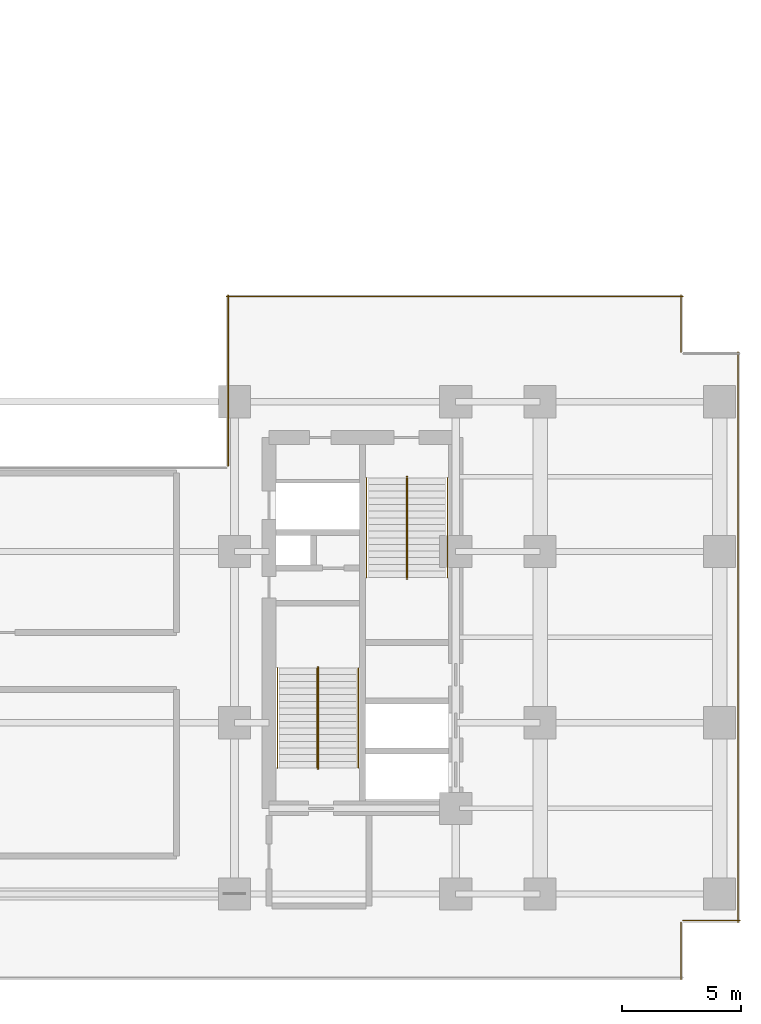
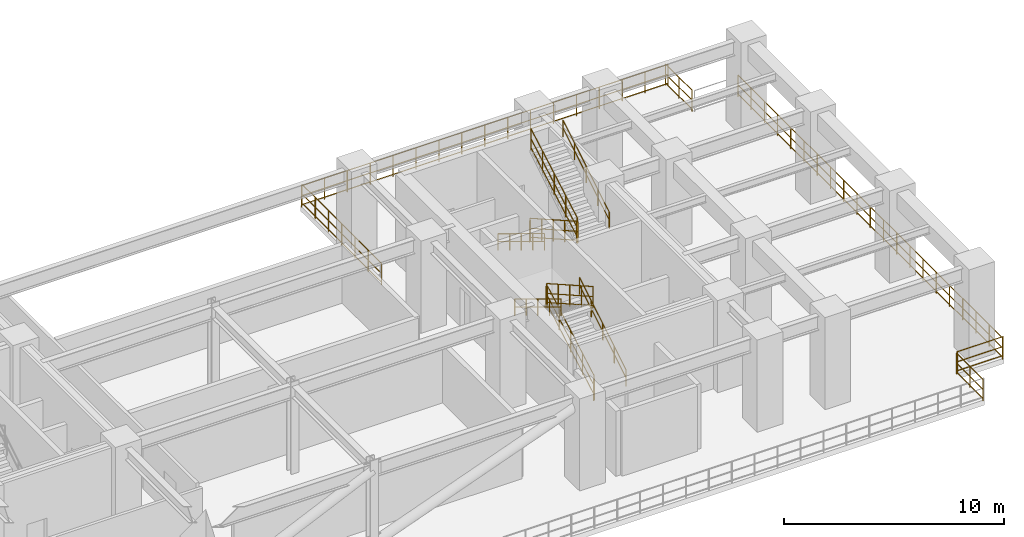
# One storey, part 13 of 15: 18 railings.
"""IFC4 building model written with IfcOpenShell, lengths in metres."""

import ifcopenshell
import ifcopenshell.guid

model = None  # the IFC model being written
_history = None  # IfcOwnerHistory: only IFC2X3 demands one
_inside = {}  # id of a spatial element -> (the spatial element, [elements in it])
_under = {}  # id of a project, library or spatial element -> (it, [spatial elements below it])
_declared = {}  # id of a project -> (the project, [libraries it declares])
_typed = {}  # id of a type object -> (the type object, [elements of that type])
_made_of = {}  # id of a material, layer set ... -> (it, [elements and type objects made of it])


def new_model(schema):
    """Start an empty IFC model of exactly this schema.

    Asked for "IFC4X3", IfcOpenShell would pick the latest addendum, in which some entities
    have other attributes; the version numbers below select the first issue.
    IFC2X3 requires an IfcOwnerHistory on every rooted entity: one is made here for all.
    """
    global model, _history
    if schema == "IFC4X3":
        model = ifcopenshell.file(schema_version=(4, 3, 0, 0))
    else:
        model = ifcopenshell.file(schema=schema)
    _inside.clear()
    _under.clear()
    _declared.clear()
    _typed.clear()
    _made_of.clear()
    _history = None
    if model.schema == "IFC2X3":
        org = make("IfcOrganization", Name="unknown")
        user = make(
            "IfcPersonAndOrganization",
            ThePerson=make("IfcPerson", FamilyName="unknown"),
            TheOrganization=org,
        )
        app = make(
            "IfcApplication",
            ApplicationDeveloper=org,
            Version="unknown",
            ApplicationFullName="unknown",
            ApplicationIdentifier="unknown",
        )
        _history = make(
            "IfcOwnerHistory",
            OwningUser=user,
            OwningApplication=app,
            ChangeAction="ADDED",
            CreationDate=0,
        )
    return model


def make(cls, **values):
    """One entity of the class cls with the attributes given. An attribute that is None is left unset."""
    return model.create_entity(
        cls, **{name: value for name, value in values.items() if value is not None}
    )


def entity(cls, *values):
    """Any entity or typed value of the class cls, its attributes in the order of the schema. None: left unset."""
    e = model.create_entity(cls)
    for i, value in enumerate(values):
        if value is not None:
            e[i] = value
    return e


def rooted(cls, **values):
    """An entity with a GlobalId (a new one), such as an element, a storey or a relation."""
    return make(cls, GlobalId=ifcopenshell.guid.new(), OwnerHistory=_history, **values)


def si_unit(unit_type, name, prefix=None):
    """IfcSIUnit, for example si_unit("LENGTHUNIT", "METRE", prefix="MILLI")."""
    return make("IfcSIUnit", UnitType=unit_type, Prefix=prefix, Name=name)


def converted_unit(unit_type, name, factor, base, dimensions=None, offset=None):
    """IfcConversionBasedUnit, such as the inch: factor (a typed value) times the base unit."""
    return make(
        "IfcConversionBasedUnit"
        if offset is None
        else "IfcConversionBasedUnitWithOffset",
        ConversionOffset=offset,
        Dimensions=None
        if dimensions is None
        else entity("IfcDimensionalExponents", *dimensions),
        UnitType=unit_type,
        Name=name,
        ConversionFactor=make(
            "IfcMeasureWithUnit", ValueComponent=factor, UnitComponent=base
        ),
    )


def assignment(units):
    """IfcUnitAssignment: the units of a project."""
    return None if units is None else make("IfcUnitAssignment", Units=units)


def point(xyz):
    """IfcCartesianPoint."""
    return None if xyz is None else make("IfcCartesianPoint", Coordinates=xyz)


def direction(xyz):
    """IfcDirection."""
    return None if xyz is None else make("IfcDirection", DirectionRatios=xyz)


def frame(location, z_axis=None, x_axis=None):
    """IfcAxis2Placement3D, a coordinate frame: its origin and axes. An axis left out is left unset."""
    return make(
        "IfcAxis2Placement3D",
        Location=point(location),
        Axis=direction(z_axis),
        RefDirection=direction(x_axis),
    )


def frame_2d(location, x_axis=None):
    """IfcAxis2Placement2D, a coordinate frame in the plane: its origin and x axis."""
    return make(
        "IfcAxis2Placement2D", Location=point(location), RefDirection=direction(x_axis)
    )


def origin_with_axes():
    """The frame at (0, 0, 0) with the z axis (0, 0, 1) and the x axis (1, 0, 0) written out."""
    return frame((0.0, 0.0, 0.0), z_axis=(0.0, 0.0, 1.0), x_axis=(1.0, 0.0, 0.0))


def origin_2d_with_axis():
    """The frame at (0, 0) in the plane with the x axis (1, 0) written out."""
    return frame_2d((0.0, 0.0), x_axis=(1.0, 0.0))


def place(relative_to, where):
    """IfcLocalPlacement: puts the frame where relative to a parent placement (None: the world)."""
    return make(
        "IfcLocalPlacement", PlacementRelTo=relative_to, RelativePlacement=where
    )


def context(
    kind, dimensions, precision=None, world=None, true_north=None, identifier=None
):
    """IfcGeometricRepresentationContext, for example the 3D "Model" context."""
    return make(
        "IfcGeometricRepresentationContext",
        ContextIdentifier=identifier,
        ContextType=kind,
        CoordinateSpaceDimension=dimensions,
        Precision=precision,
        WorldCoordinateSystem=world,
        TrueNorth=true_north,
    )


def subcontext(parent, identifier, kind, view, scale=None):
    """IfcGeometricRepresentationSubContext, for example "Body" below "Model"."""
    return make(
        "IfcGeometricRepresentationSubContext",
        ContextIdentifier=identifier,
        ContextType=kind,
        ParentContext=parent,
        TargetScale=scale,
        TargetView=view,
    )


def project(units=None, contexts=None):
    """IfcProject with its units and contexts."""
    return rooted(
        "IfcProject",
        Name="project",
        RepresentationContexts=contexts,
        UnitsInContext=assignment(units),
    )


def spatial(cls, under=None, at=None, **own):
    """A site, building, storey or space (cls), placed at a placement, below another one or the project."""
    s = rooted(cls, ObjectPlacement=at, **own)
    if under is not None:
        _under.setdefault(under.id(), (under, []))[1].append(s)
    return s


def profile(cls, at=None, kind="AREA", **sizes):
    """A parametric profile (cls). Its sizes go by their IFC names, for example OverallWidth=200.0."""
    return make(cls, ProfileType=kind, Position=at, **sizes)


def rectangle(**sizes):
    """IfcRectangleProfileDef."""
    return profile("IfcRectangleProfileDef", **sizes)


def circle(**sizes):
    """IfcCircleProfileDef."""
    return profile("IfcCircleProfileDef", **sizes)


def extrude(swept, where, along, depth):
    """IfcExtrudedAreaSolid: the profile swept, set in the frame where, extruded along a direction by depth."""
    return make(
        "IfcExtrudedAreaSolid",
        SweptArea=swept,
        Position=where,
        ExtrudedDirection=direction(along),
        Depth=depth,
    )


def shape(context_of_items, identifier, shape_type, items):
    """IfcShapeRepresentation: the items that make up one representation, for example the "Body"."""
    return make(
        "IfcShapeRepresentation",
        ContextOfItems=context_of_items,
        RepresentationIdentifier=identifier,
        RepresentationType=shape_type,
        Items=items,
    )


def material(Name=None, Category=None):
    """IfcMaterial."""
    return make("IfcMaterial", Name=Name, Category=Category)


def made_of(thing, what):
    """Note that an element or type object is made of a material, layer set ...; save() writes the relation."""
    if what is not None:
        _made_of.setdefault(what.id(), (what, []))[1].append(thing)
    return thing


def type_object(cls, material=None, **own):
    """A type object (cls), such as IfcWallType, which elements share."""
    return made_of(rooted(cls, **own), material)


def element(
    cls,
    number,
    at=None,
    inside=None,
    cuts=None,
    type_object=None,
    material=None,
    context=None,
    identifier="Body",
    shape_type=None,
    held_by="IfcProductDefinitionShape",
    body=None,
    shapes=None,
    **own,
):
    """One element of the class cls, such as IfcWall. Its Tag is "e" and its number.

    at: its placement. inside: the storey or other place that contains it. cuts: it is an
    opening in that element (IfcRelVoidsElement). A single representation is given by context,
    identifier, shape_type and body (its items); several are given by shapes. held_by: the class
    of the entity that holds the representations. save() writes the other relations.
    """
    e = rooted(cls, Tag="e%d" % number, ObjectPlacement=at, **own)
    if body is not None:
        shapes = [shape(context, identifier, shape_type, body)]
    if shapes is not None:
        e.Representation = make(held_by, Representations=shapes)
    if inside is not None:
        _inside.setdefault(inside.id(), (inside, []))[1].append(e)
    if cuts is not None:
        rooted(
            "IfcRelVoidsElement", RelatingBuildingElement=cuts, RelatedOpeningElement=e
        )
    if type_object is not None:
        _typed.setdefault(type_object.id(), (type_object, []))[1].append(e)
    return made_of(e, material)


def aggregate(whole, parts):
    """IfcRelAggregates: a whole, such as a stair, and the parts it consists of."""
    return rooted("IfcRelAggregates", RelatingObject=whole, RelatedObjects=parts)


def save(model, path):
    """Write the relations noted so far, then the file.

    IfcRelAggregates (storeys below a building ...), IfcRelContainedInSpatialStructure (elements
    in a storey), IfcRelDefinesByType, IfcRelAssociatesMaterial and IfcRelDeclares: one each for
    every whole, place, type object, material and project.
    """
    for whole, parts in _under.values():
        aggregate(whole, parts)
    for where, things in _inside.values():
        rooted(
            "IfcRelContainedInSpatialStructure",
            RelatedElements=things,
            RelatingStructure=where,
        )
    for kind, things in _typed.values():
        rooted("IfcRelDefinesByType", RelatedObjects=things, RelatingType=kind)
    for what, things in _made_of.values():
        rooted("IfcRelAssociatesMaterial", RelatedObjects=things, RelatingMaterial=what)
    for by, libraries in _declared.values():
        rooted("IfcRelDeclares", RelatingContext=by, RelatedDefinitions=libraries)
    model.write(path)


model = new_model("IFC4")

# Units and contexts
model_context = context("Model", 3, precision=1e-05, world=origin_with_axes(), true_north=direction((0.0, 1.0)))
body_context = subcontext(model_context, "Body", "Model", "MODEL_VIEW")
ifc_project = project(units=[si_unit("LENGTHUNIT", "METRE"), si_unit("AREAUNIT", "SQUARE_METRE"), si_unit("VOLUMEUNIT", "CUBIC_METRE"), converted_unit("PLANEANGLEUNIT", "DEGREE", entity("IfcPlaneAngleMeasure", 0.017453292519943295), si_unit("PLANEANGLEUNIT", "RADIAN"), dimensions=[0, 0, 0, 0, 0, 0, 0]), si_unit("MASSUNIT", "GRAM", prefix="KILO"), si_unit("THERMODYNAMICTEMPERATUREUNIT", "KELVIN")], contexts=[model_context])

# Site, building, storey
site_placement = place(None, origin_with_axes())
site = spatial("IfcSite", under=ifc_project, at=site_placement, CompositionType="ELEMENT")
building_placement = place(site_placement, origin_with_axes())
building = spatial("IfcBuilding", under=site, at=building_placement, Name="Varnlund Millrace Tower", CompositionType="ELEMENT")
storey_placement = place(building_placement, frame((0.0, 0.0, 79.5), z_axis=(0.0, 0.0, 1.0), x_axis=(1.0, 0.0, 0.0)))
storey = spatial("IfcBuildingStorey", under=building, at=storey_placement, Name="L19", CompositionType="ELEMENT", Elevation=79.5)

# Railings
ifc_material_1 = material(Name="Architectural bronze balustrade guard", Category="aluminium")
railing_type_1 = type_object("IfcRailingType", Name="Type-Guard-Perimeter-1150", PredefinedType="BALUSTRADE", material=ifc_material_1)
railing_1_placement = place(storey_placement, frame((0.0, 0.0, -79.5), z_axis=(0.0, 0.0, 1.0), x_axis=(1.0, 0.0, 0.0)))
element("IfcRailing", 1, at=railing_1_placement, inside=storey, type_object=railing_type_1, Name="Type-Guard-Perimeter-1150", PredefinedType="BALUSTRADE", context=body_context, shape_type="SweptSolid", body=[
    extrude(circle(Radius=0.024, at=origin_2d_with_axis()), frame((57.52, 0.0, 80.65), z_axis=(0.0, 1.0, 0.0), x_axis=(-1.0, 0.0, 0.0)), (0.0, 0.0, 1.0), 2.4),
    extrude(circle(Radius=0.024, at=origin_2d_with_axis()), frame((57.52, 0.0, 79.6), z_axis=(0.0, 1.0, 0.0), x_axis=(-1.0, 0.0, 0.0)), (0.0, 0.0, 1.0), 2.4),
    extrude(circle(Radius=0.024, at=origin_2d_with_axis()), frame((57.52, 0.0, 80.098), z_axis=(0.0, 1.0, 0.0), x_axis=(-1.0, 0.0, 0.0)), (0.0, 0.0, 1.0), 2.4),
    extrude(rectangle(XDim=0.04, YDim=0.04, at=origin_2d_with_axis()), frame((57.52, 0.0, 79.46), z_axis=(0.0, 0.0, 1.0), x_axis=(1.0, 0.0, 0.0)), (0.0, 0.0, 1.0), 1.19),
    extrude(rectangle(XDim=0.04, YDim=0.04, at=origin_2d_with_axis()), frame((57.52, 1.2, 79.46), z_axis=(0.0, 0.0, 1.0), x_axis=(1.0, 0.0, 0.0)), (0.0, 0.0, 1.0), 1.19),
    extrude(rectangle(XDim=0.04, YDim=0.04, at=origin_2d_with_axis()), frame((57.52, 2.4, 79.46), z_axis=(0.0, 0.0, 1.0), x_axis=(1.0, 0.0, 0.0)), (0.0, 0.0, 1.0), 1.19),
])
railing_2_placement = place(storey_placement, frame((0.0, 0.0, -79.5), z_axis=(0.0, 0.0, 1.0), x_axis=(1.0, 0.0, 0.0)))
element("IfcRailing", 2, at=railing_2_placement, inside=storey, type_object=railing_type_1, Name="Type-Guard-Perimeter-1150", PredefinedType="BALUSTRADE", context=body_context, shape_type="SweptSolid", body=[
    extrude(circle(Radius=0.024, at=origin_2d_with_axis()), frame((57.6, 2.48, 80.65), z_axis=(1.0, 0.0, 0.0), x_axis=(0.0, 1.0, 0.0)), (0.0, 0.0, 1.0), 2.4),
    extrude(circle(Radius=0.024, at=origin_2d_with_axis()), frame((57.6, 2.48, 79.6), z_axis=(1.0, 0.0, 0.0), x_axis=(0.0, 1.0, 0.0)), (0.0, 0.0, 1.0), 2.4),
    extrude(circle(Radius=0.024, at=origin_2d_with_axis()), frame((57.6, 2.48, 80.098), z_axis=(1.0, 0.0, 0.0), x_axis=(0.0, 1.0, 0.0)), (0.0, 0.0, 1.0), 2.4),
    extrude(rectangle(XDim=0.04, YDim=0.04, at=origin_2d_with_axis()), frame((57.6, 2.48, 79.46), z_axis=(0.0, 0.0, 1.0), x_axis=(1.0, 0.0, 0.0)), (0.0, 0.0, 1.0), 1.19),
    extrude(rectangle(XDim=0.04, YDim=0.04, at=origin_2d_with_axis()), frame((60.0, 2.48, 79.46), z_axis=(0.0, 0.0, 1.0), x_axis=(1.0, 0.0, 0.0)), (0.0, 0.0, 1.0), 1.19),
])
railing_3_placement = place(storey_placement, frame((0.0, 0.0, -79.5), z_axis=(0.0, 0.0, 1.0), x_axis=(1.0, 0.0, 0.0)))
element("IfcRailing", 3, at=railing_3_placement, inside=storey, type_object=railing_type_1, Name="Type-Guard-Perimeter-1150", PredefinedType="BALUSTRADE", context=body_context, shape_type="SweptSolid", body=[
    extrude(circle(Radius=0.024, at=origin_2d_with_axis()), frame((59.92, 2.4, 80.65), z_axis=(0.0, 1.0, 0.0), x_axis=(-1.0, 0.0, 0.0)), (0.0, 0.0, 1.0), 24.0),
    extrude(circle(Radius=0.024, at=origin_2d_with_axis()), frame((59.92, 2.4, 79.6), z_axis=(0.0, 1.0, 0.0), x_axis=(-1.0, 0.0, 0.0)), (0.0, 0.0, 1.0), 24.0),
    extrude(circle(Radius=0.024, at=origin_2d_with_axis()), frame((59.92, 2.4, 80.098), z_axis=(0.0, 1.0, 0.0), x_axis=(-1.0, 0.0, 0.0)), (0.0, 0.0, 1.0), 24.0),
    extrude(rectangle(XDim=0.04, YDim=0.04, at=origin_2d_with_axis()), frame((59.92, 2.4, 79.46), z_axis=(0.0, 0.0, 1.0), x_axis=(1.0, 0.0, 0.0)), (0.0, 0.0, 1.0), 1.19),
    extrude(rectangle(XDim=0.04, YDim=0.04, at=origin_2d_with_axis()), frame((59.92, 3.6, 79.46), z_axis=(0.0, 0.0, 1.0), x_axis=(1.0, 0.0, 0.0)), (0.0, 0.0, 1.0), 1.19),
    extrude(rectangle(XDim=0.04, YDim=0.04, at=origin_2d_with_axis()), frame((59.92, 4.8, 79.46), z_axis=(0.0, 0.0, 1.0), x_axis=(1.0, 0.0, 0.0)), (0.0, 0.0, 1.0), 1.19),
    extrude(rectangle(XDim=0.04, YDim=0.04, at=origin_2d_with_axis()), frame((59.92, 6.0, 79.46), z_axis=(0.0, 0.0, 1.0), x_axis=(1.0, 0.0, 0.0)), (0.0, 0.0, 1.0), 1.19),
    extrude(rectangle(XDim=0.04, YDim=0.04, at=origin_2d_with_axis()), frame((59.92, 7.2, 79.46), z_axis=(0.0, 0.0, 1.0), x_axis=(1.0, 0.0, 0.0)), (0.0, 0.0, 1.0), 1.19),
    extrude(rectangle(XDim=0.04, YDim=0.04, at=origin_2d_with_axis()), frame((59.92, 8.4, 79.46), z_axis=(0.0, 0.0, 1.0), x_axis=(1.0, 0.0, 0.0)), (0.0, 0.0, 1.0), 1.19),
    extrude(rectangle(XDim=0.04, YDim=0.04, at=origin_2d_with_axis()), frame((59.92, 9.6, 79.46), z_axis=(0.0, 0.0, 1.0), x_axis=(1.0, 0.0, 0.0)), (0.0, 0.0, 1.0), 1.19),
    extrude(rectangle(XDim=0.04, YDim=0.04, at=origin_2d_with_axis()), frame((59.92, 10.8, 79.46), z_axis=(0.0, 0.0, 1.0), x_axis=(1.0, 0.0, 0.0)), (0.0, 0.0, 1.0), 1.19),
    extrude(rectangle(XDim=0.04, YDim=0.04, at=origin_2d_with_axis()), frame((59.92, 12.0, 79.46), z_axis=(0.0, 0.0, 1.0), x_axis=(1.0, 0.0, 0.0)), (0.0, 0.0, 1.0), 1.19),
    extrude(rectangle(XDim=0.04, YDim=0.04, at=origin_2d_with_axis()), frame((59.92, 13.2, 79.46), z_axis=(0.0, 0.0, 1.0), x_axis=(1.0, 0.0, 0.0)), (0.0, 0.0, 1.0), 1.19),
    extrude(rectangle(XDim=0.04, YDim=0.04, at=origin_2d_with_axis()), frame((59.92, 14.4, 79.46), z_axis=(0.0, 0.0, 1.0), x_axis=(1.0, 0.0, 0.0)), (0.0, 0.0, 1.0), 1.19),
    extrude(rectangle(XDim=0.04, YDim=0.04, at=origin_2d_with_axis()), frame((59.92, 15.6, 79.46), z_axis=(0.0, 0.0, 1.0), x_axis=(1.0, 0.0, 0.0)), (0.0, 0.0, 1.0), 1.19),
    extrude(rectangle(XDim=0.04, YDim=0.04, at=origin_2d_with_axis()), frame((59.92, 16.8, 79.46), z_axis=(0.0, 0.0, 1.0), x_axis=(1.0, 0.0, 0.0)), (0.0, 0.0, 1.0), 1.19),
    extrude(rectangle(XDim=0.04, YDim=0.04, at=origin_2d_with_axis()), frame((59.92, 18.0, 79.46), z_axis=(0.0, 0.0, 1.0), x_axis=(1.0, 0.0, 0.0)), (0.0, 0.0, 1.0), 1.19),
    extrude(rectangle(XDim=0.04, YDim=0.04, at=origin_2d_with_axis()), frame((59.92, 19.2, 79.46), z_axis=(0.0, 0.0, 1.0), x_axis=(1.0, 0.0, 0.0)), (0.0, 0.0, 1.0), 1.19),
    extrude(rectangle(XDim=0.04, YDim=0.04, at=origin_2d_with_axis()), frame((59.92, 20.4, 79.46), z_axis=(0.0, 0.0, 1.0), x_axis=(1.0, 0.0, 0.0)), (0.0, 0.0, 1.0), 1.19),
    extrude(rectangle(XDim=0.04, YDim=0.04, at=origin_2d_with_axis()), frame((59.92, 21.6, 79.46), z_axis=(0.0, 0.0, 1.0), x_axis=(1.0, 0.0, 0.0)), (0.0, 0.0, 1.0), 1.19),
    extrude(rectangle(XDim=0.04, YDim=0.04, at=origin_2d_with_axis()), frame((59.92, 22.8, 79.46), z_axis=(0.0, 0.0, 1.0), x_axis=(1.0, 0.0, 0.0)), (0.0, 0.0, 1.0), 1.19),
    extrude(rectangle(XDim=0.04, YDim=0.04, at=origin_2d_with_axis()), frame((59.92, 24.0, 79.46), z_axis=(0.0, 0.0, 1.0), x_axis=(1.0, 0.0, 0.0)), (0.0, 0.0, 1.0), 1.19),
    extrude(rectangle(XDim=0.04, YDim=0.04, at=origin_2d_with_axis()), frame((59.92, 25.2, 79.46), z_axis=(0.0, 0.0, 1.0), x_axis=(1.0, 0.0, 0.0)), (0.0, 0.0, 1.0), 1.19),
    extrude(rectangle(XDim=0.04, YDim=0.04, at=origin_2d_with_axis()), frame((59.92, 26.4, 79.46), z_axis=(0.0, 0.0, 1.0), x_axis=(1.0, 0.0, 0.0)), (0.0, 0.0, 1.0), 1.19),
])
railing_4_placement = place(storey_placement, frame((0.0, 0.0, -79.5), z_axis=(0.0, 0.0, 1.0), x_axis=(1.0, 0.0, 0.0)))
element("IfcRailing", 4, at=railing_4_placement, inside=storey, type_object=railing_type_1, Name="Type-Guard-Perimeter-1150", PredefinedType="BALUSTRADE", context=body_context, shape_type="SweptSolid", body=[
    extrude(circle(Radius=0.024, at=origin_2d_with_axis()), frame((57.52, 26.4, 80.65), z_axis=(0.0, 1.0, 0.0), x_axis=(-1.0, 0.0, 0.0)), (0.0, 0.0, 1.0), 2.4),
    extrude(circle(Radius=0.024, at=origin_2d_with_axis()), frame((57.52, 26.4, 79.6), z_axis=(0.0, 1.0, 0.0), x_axis=(-1.0, 0.0, 0.0)), (0.0, 0.0, 1.0), 2.4),
    extrude(circle(Radius=0.024, at=origin_2d_with_axis()), frame((57.52, 26.4, 80.098), z_axis=(0.0, 1.0, 0.0), x_axis=(-1.0, 0.0, 0.0)), (0.0, 0.0, 1.0), 2.4),
    extrude(rectangle(XDim=0.04, YDim=0.04, at=origin_2d_with_axis()), frame((57.52, 26.4, 79.46), z_axis=(0.0, 0.0, 1.0), x_axis=(1.0, 0.0, 0.0)), (0.0, 0.0, 1.0), 1.19),
    extrude(rectangle(XDim=0.04, YDim=0.04, at=origin_2d_with_axis()), frame((57.52, 27.6, 79.46), z_axis=(0.0, 0.0, 1.0), x_axis=(1.0, 0.0, 0.0)), (0.0, 0.0, 1.0), 1.19),
    extrude(rectangle(XDim=0.04, YDim=0.04, at=origin_2d_with_axis()), frame((57.52, 28.8, 79.46), z_axis=(0.0, 0.0, 1.0), x_axis=(1.0, 0.0, 0.0)), (0.0, 0.0, 1.0), 1.19),
])
railing_5_placement = place(storey_placement, frame((0.0, 0.0, -79.5), z_axis=(0.0, 0.0, 1.0), x_axis=(1.0, 0.0, 0.0)))
element("IfcRailing", 5, at=railing_5_placement, inside=storey, type_object=railing_type_1, Name="Type-Guard-Perimeter-1150", PredefinedType="BALUSTRADE", context=body_context, shape_type="SweptSolid", body=[
    extrude(circle(Radius=0.024, at=origin_2d_with_axis()), frame((57.6, 28.72, 80.65), z_axis=(-1.0, 0.0, 0.0), x_axis=(0.0, -1.0, 0.0)), (0.0, 0.0, 1.0), 19.2),
    extrude(circle(Radius=0.024, at=origin_2d_with_axis()), frame((57.6, 28.72, 79.6), z_axis=(-1.0, 0.0, 0.0), x_axis=(0.0, -1.0, 0.0)), (0.0, 0.0, 1.0), 19.2),
    extrude(circle(Radius=0.024, at=origin_2d_with_axis()), frame((57.6, 28.72, 80.098), z_axis=(-1.0, 0.0, 0.0), x_axis=(0.0, -1.0, 0.0)), (0.0, 0.0, 1.0), 19.2),
    extrude(rectangle(XDim=0.04, YDim=0.04, at=origin_2d_with_axis()), frame((57.6, 28.72, 79.46), z_axis=(0.0, 0.0, 1.0), x_axis=(1.0, 0.0, 0.0)), (0.0, 0.0, 1.0), 1.19),
    extrude(rectangle(XDim=0.04, YDim=0.04, at=origin_2d_with_axis()), frame((56.4, 28.72, 79.46), z_axis=(0.0, 0.0, 1.0), x_axis=(1.0, 0.0, 0.0)), (0.0, 0.0, 1.0), 1.19),
    extrude(rectangle(XDim=0.04, YDim=0.04, at=origin_2d_with_axis()), frame((55.2, 28.72, 79.46), z_axis=(0.0, 0.0, 1.0), x_axis=(1.0, 0.0, 0.0)), (0.0, 0.0, 1.0), 1.19),
    extrude(rectangle(XDim=0.04, YDim=0.04, at=origin_2d_with_axis()), frame((54.0, 28.72, 79.46), z_axis=(0.0, 0.0, 1.0), x_axis=(1.0, 0.0, 0.0)), (0.0, 0.0, 1.0), 1.19),
    extrude(rectangle(XDim=0.04, YDim=0.04, at=origin_2d_with_axis()), frame((52.8, 28.72, 79.46), z_axis=(0.0, 0.0, 1.0), x_axis=(1.0, 0.0, 0.0)), (0.0, 0.0, 1.0), 1.19),
    extrude(rectangle(XDim=0.04, YDim=0.04, at=origin_2d_with_axis()), frame((51.6, 28.72, 79.46), z_axis=(0.0, 0.0, 1.0), x_axis=(1.0, 0.0, 0.0)), (0.0, 0.0, 1.0), 1.19),
    extrude(rectangle(XDim=0.04, YDim=0.04, at=origin_2d_with_axis()), frame((50.4, 28.72, 79.46), z_axis=(0.0, 0.0, 1.0), x_axis=(1.0, 0.0, 0.0)), (0.0, 0.0, 1.0), 1.19),
    extrude(rectangle(XDim=0.04, YDim=0.04, at=origin_2d_with_axis()), frame((49.2, 28.72, 79.46), z_axis=(0.0, 0.0, 1.0), x_axis=(1.0, 0.0, 0.0)), (0.0, 0.0, 1.0), 1.19),
    extrude(rectangle(XDim=0.04, YDim=0.04, at=origin_2d_with_axis()), frame((48.0, 28.72, 79.46), z_axis=(0.0, 0.0, 1.0), x_axis=(1.0, 0.0, 0.0)), (0.0, 0.0, 1.0), 1.19),
    extrude(rectangle(XDim=0.04, YDim=0.04, at=origin_2d_with_axis()), frame((46.8, 28.72, 79.46), z_axis=(0.0, 0.0, 1.0), x_axis=(1.0, 0.0, 0.0)), (0.0, 0.0, 1.0), 1.19),
    extrude(rectangle(XDim=0.04, YDim=0.04, at=origin_2d_with_axis()), frame((45.6, 28.72, 79.46), z_axis=(0.0, 0.0, 1.0), x_axis=(1.0, 0.0, 0.0)), (0.0, 0.0, 1.0), 1.19),
    extrude(rectangle(XDim=0.04, YDim=0.04, at=origin_2d_with_axis()), frame((44.4, 28.72, 79.46), z_axis=(0.0, 0.0, 1.0), x_axis=(1.0, 0.0, 0.0)), (0.0, 0.0, 1.0), 1.19),
    extrude(rectangle(XDim=0.04, YDim=0.04, at=origin_2d_with_axis()), frame((43.2, 28.72, 79.46), z_axis=(0.0, 0.0, 1.0), x_axis=(1.0, 0.0, 0.0)), (0.0, 0.0, 1.0), 1.19),
    extrude(rectangle(XDim=0.04, YDim=0.04, at=origin_2d_with_axis()), frame((42.0, 28.72, 79.46), z_axis=(0.0, 0.0, 1.0), x_axis=(1.0, 0.0, 0.0)), (0.0, 0.0, 1.0), 1.19),
    extrude(rectangle(XDim=0.04, YDim=0.04, at=origin_2d_with_axis()), frame((40.8, 28.72, 79.46), z_axis=(0.0, 0.0, 1.0), x_axis=(1.0, 0.0, 0.0)), (0.0, 0.0, 1.0), 1.19),
    extrude(rectangle(XDim=0.04, YDim=0.04, at=origin_2d_with_axis()), frame((39.6, 28.72, 79.46), z_axis=(0.0, 0.0, 1.0), x_axis=(1.0, 0.0, 0.0)), (0.0, 0.0, 1.0), 1.19),
    extrude(rectangle(XDim=0.04, YDim=0.04, at=origin_2d_with_axis()), frame((38.4, 28.72, 79.46), z_axis=(0.0, 0.0, 1.0), x_axis=(1.0, 0.0, 0.0)), (0.0, 0.0, 1.0), 1.19),
])
railing_6_placement = place(storey_placement, frame((0.0, 0.0, -79.5), z_axis=(0.0, 0.0, 1.0), x_axis=(1.0, 0.0, 0.0)))
element("IfcRailing", 6, at=railing_6_placement, inside=storey, type_object=railing_type_1, Name="Type-Guard-Perimeter-1150", PredefinedType="BALUSTRADE", context=body_context, shape_type="SweptSolid", body=[
    extrude(circle(Radius=0.024, at=origin_2d_with_axis()), frame((38.48, 28.8, 80.65), z_axis=(0.0, -1.0, 0.0), x_axis=(1.0, 0.0, 0.0)), (0.0, 0.0, 1.0), 7.2),
    extrude(circle(Radius=0.024, at=origin_2d_with_axis()), frame((38.48, 28.8, 79.6), z_axis=(0.0, -1.0, 0.0), x_axis=(1.0, 0.0, 0.0)), (0.0, 0.0, 1.0), 7.2),
    extrude(circle(Radius=0.024, at=origin_2d_with_axis()), frame((38.48, 28.8, 80.098), z_axis=(0.0, -1.0, 0.0), x_axis=(1.0, 0.0, 0.0)), (0.0, 0.0, 1.0), 7.2),
    extrude(rectangle(XDim=0.04, YDim=0.04, at=origin_2d_with_axis()), frame((38.48, 28.8, 79.46), z_axis=(0.0, 0.0, 1.0), x_axis=(1.0, 0.0, 0.0)), (0.0, 0.0, 1.0), 1.19),
    extrude(rectangle(XDim=0.04, YDim=0.04, at=origin_2d_with_axis()), frame((38.48, 27.6, 79.46), z_axis=(0.0, 0.0, 1.0), x_axis=(1.0, 0.0, 0.0)), (0.0, 0.0, 1.0), 1.19),
    extrude(rectangle(XDim=0.04, YDim=0.04, at=origin_2d_with_axis()), frame((38.48, 26.4, 79.46), z_axis=(0.0, 0.0, 1.0), x_axis=(1.0, 0.0, 0.0)), (0.0, 0.0, 1.0), 1.19),
    extrude(rectangle(XDim=0.04, YDim=0.04, at=origin_2d_with_axis()), frame((38.48, 25.2, 79.46), z_axis=(0.0, 0.0, 1.0), x_axis=(1.0, 0.0, 0.0)), (0.0, 0.0, 1.0), 1.19),
    extrude(rectangle(XDim=0.04, YDim=0.04, at=origin_2d_with_axis()), frame((38.48, 24.0, 79.46), z_axis=(0.0, 0.0, 1.0), x_axis=(1.0, 0.0, 0.0)), (0.0, 0.0, 1.0), 1.19),
    extrude(rectangle(XDim=0.04, YDim=0.04, at=origin_2d_with_axis()), frame((38.48, 22.8, 79.46), z_axis=(0.0, 0.0, 1.0), x_axis=(1.0, 0.0, 0.0)), (0.0, 0.0, 1.0), 1.19),
    extrude(rectangle(XDim=0.04, YDim=0.04, at=origin_2d_with_axis()), frame((38.48, 21.6, 79.46), z_axis=(0.0, 0.0, 1.0), x_axis=(1.0, 0.0, 0.0)), (0.0, 0.0, 1.0), 1.19),
])
ifc_material_2 = material(Name="Painted steel stair well balustrade guard", Category="steel")
railing_type_2 = type_object("IfcRailingType", Name="Type-StairGuard-1150", PredefinedType="GUARDRAIL", material=ifc_material_2)
railing_7_placement = place(storey_placement, frame((0.0, 0.0, -79.5), z_axis=(0.0, 0.0, 1.0), x_axis=(1.0, 0.0, 0.0)))
element("IfcRailing", 7, at=railing_7_placement, inside=storey, type_object=railing_type_2, Name="Type-StairGuard-1150", PredefinedType="GUARDRAIL", context=body_context, shape_type="SweptSolid", body=[
    extrude(circle(Radius=0.024, at=origin_2d_with_axis()), frame((42.275, 8.9, 80.82), z_axis=(0.0, 0.870022, 0.493013), x_axis=(-1.0, 0.0, 0.0)), (0.0, 0.0, 1.0), 4.827463),
    extrude(circle(Radius=0.024, at=origin_2d_with_axis()), frame((42.275, 8.9, 79.77), z_axis=(0.0, 0.870022, 0.493013), x_axis=(-1.0, 0.0, 0.0)), (0.0, 0.0, 1.0), 4.827463),
    extrude(circle(Radius=0.024, at=origin_2d_with_axis()), frame((42.275, 8.9, 80.268), z_axis=(0.0, 0.870022, 0.493013), x_axis=(-1.0, 0.0, 0.0)), (0.0, 0.0, 1.0), 4.827463),
    extrude(rectangle(XDim=0.04, YDim=0.04, at=origin_2d_with_axis()), frame((42.275, 8.9, 79.63), z_axis=(0.0, 0.0, 1.0), x_axis=(1.0, 0.0, 0.0)), (0.0, 0.0, 1.0), 1.19),
    extrude(rectangle(XDim=0.04, YDim=0.04, at=origin_2d_with_axis()), frame((42.275, 9.95, 80.225), z_axis=(0.0, 0.0, 1.0), x_axis=(1.0, 0.0, 0.0)), (0.0, 0.0, 1.0), 1.19),
    extrude(rectangle(XDim=0.04, YDim=0.04, at=origin_2d_with_axis()), frame((42.275, 11.0, 80.82), z_axis=(0.0, 0.0, 1.0), x_axis=(1.0, 0.0, 0.0)), (0.0, 0.0, 1.0), 1.19),
    extrude(rectangle(XDim=0.04, YDim=0.04, at=origin_2d_with_axis()), frame((42.275, 12.05, 81.415), z_axis=(0.0, 0.0, 1.0), x_axis=(1.0, 0.0, 0.0)), (0.0, 0.0, 1.0), 1.19),
    extrude(rectangle(XDim=0.04, YDim=0.04, at=origin_2d_with_axis()), frame((42.275, 13.1, 82.01), z_axis=(0.0, 0.0, 1.0), x_axis=(1.0, 0.0, 0.0)), (0.0, 0.0, 1.0), 1.19),
])
railing_8_placement = place(storey_placement, frame((0.0, 0.0, -79.5), z_axis=(0.0, 0.0, 1.0), x_axis=(1.0, 0.0, 0.0)))
element("IfcRailing", 8, at=railing_8_placement, inside=storey, type_object=railing_type_2, Name="Type-StairGuard-1150", PredefinedType="GUARDRAIL", context=body_context, shape_type="SweptSolid", body=[
    extrude(circle(Radius=0.024, at=origin_2d_with_axis()), frame((42.225, 13.15, 83.2), z_axis=(1.0, 0.0, 0.0), x_axis=(0.0, 1.0, 0.0)), (0.0, 0.0, 1.0), 0.05),
    extrude(circle(Radius=0.024, at=origin_2d_with_axis()), frame((42.225, 13.15, 82.15), z_axis=(1.0, 0.0, 0.0), x_axis=(0.0, 1.0, 0.0)), (0.0, 0.0, 1.0), 0.05),
    extrude(circle(Radius=0.024, at=origin_2d_with_axis()), frame((42.225, 13.15, 82.648), z_axis=(1.0, 0.0, 0.0), x_axis=(0.0, 1.0, 0.0)), (0.0, 0.0, 1.0), 0.05),
    extrude(rectangle(XDim=0.04, YDim=0.04, at=origin_2d_with_axis()), frame((42.225, 13.15, 82.01), z_axis=(0.0, 0.0, 1.0), x_axis=(1.0, 0.0, 0.0)), (0.0, 0.0, 1.0), 1.19),
    extrude(rectangle(XDim=0.04, YDim=0.04, at=origin_2d_with_axis()), frame((42.275, 13.15, 82.01), z_axis=(0.0, 0.0, 1.0), x_axis=(1.0, 0.0, 0.0)), (0.0, 0.0, 1.0), 1.19),
])
railing_9_placement = place(storey_placement, frame((0.0, 0.0, -79.5), z_axis=(0.0, 0.0, 1.0), x_axis=(1.0, 0.0, 0.0)))
element("IfcRailing", 9, at=railing_9_placement, inside=storey, type_object=railing_type_2, Name="Type-StairGuard-1150", PredefinedType="GUARDRAIL", context=body_context, shape_type="SweptSolid", body=[
    extrude(circle(Radius=0.024, at=origin_2d_with_axis()), frame((42.225, 13.1, 83.37), z_axis=(0.0, -0.870022, 0.493013), x_axis=(1.0, 0.0, 0.0)), (0.0, 0.0, 1.0), 4.827463),
    extrude(circle(Radius=0.024, at=origin_2d_with_axis()), frame((42.225, 13.1, 82.32), z_axis=(0.0, -0.870022, 0.493013), x_axis=(1.0, 0.0, 0.0)), (0.0, 0.0, 1.0), 4.827463),
    extrude(circle(Radius=0.024, at=origin_2d_with_axis()), frame((42.225, 13.1, 82.818), z_axis=(0.0, -0.870022, 0.493013), x_axis=(1.0, 0.0, 0.0)), (0.0, 0.0, 1.0), 4.827463),
    extrude(rectangle(XDim=0.04, YDim=0.04, at=origin_2d_with_axis()), frame((42.225, 13.1, 82.18), z_axis=(0.0, 0.0, 1.0), x_axis=(1.0, 0.0, 0.0)), (0.0, 0.0, 1.0), 1.19),
    extrude(rectangle(XDim=0.04, YDim=0.04, at=origin_2d_with_axis()), frame((42.225, 12.05, 82.775), z_axis=(0.0, 0.0, 1.0), x_axis=(1.0, 0.0, 0.0)), (0.0, 0.0, 1.0), 1.19),
    extrude(rectangle(XDim=0.04, YDim=0.04, at=origin_2d_with_axis()), frame((42.225, 11.0, 83.37), z_axis=(0.0, 0.0, 1.0), x_axis=(1.0, 0.0, 0.0)), (0.0, 0.0, 1.0), 1.19),
    extrude(rectangle(XDim=0.04, YDim=0.04, at=origin_2d_with_axis()), frame((42.225, 9.95, 83.965), z_axis=(0.0, 0.0, 1.0), x_axis=(1.0, 0.0, 0.0)), (0.0, 0.0, 1.0), 1.19),
    extrude(rectangle(XDim=0.04, YDim=0.04, at=origin_2d_with_axis()), frame((42.225, 8.9, 84.56), z_axis=(0.0, 0.0, 1.0), x_axis=(1.0, 0.0, 0.0)), (0.0, 0.0, 1.0), 1.19),
])
railing_10_placement = place(storey_placement, frame((0.0, 0.0, -79.5), z_axis=(0.0, 0.0, 1.0), x_axis=(1.0, 0.0, 0.0)))
element("IfcRailing", 10, at=railing_10_placement, inside=storey, type_object=railing_type_2, Name="Type-StairGuard-1150", PredefinedType="GUARDRAIL", context=body_context, shape_type="SweptSolid", body=[
    extrude(circle(Radius=0.024, at=origin_2d_with_axis()), frame((42.225, 8.85, 80.65), z_axis=(1.0, 0.0, 0.0), x_axis=(0.0, 1.0, 0.0)), (0.0, 0.0, 1.0), 0.05),
    extrude(circle(Radius=0.024, at=origin_2d_with_axis()), frame((42.225, 8.85, 79.6), z_axis=(1.0, 0.0, 0.0), x_axis=(0.0, 1.0, 0.0)), (0.0, 0.0, 1.0), 0.05),
    extrude(circle(Radius=0.024, at=origin_2d_with_axis()), frame((42.225, 8.85, 80.098), z_axis=(1.0, 0.0, 0.0), x_axis=(0.0, 1.0, 0.0)), (0.0, 0.0, 1.0), 0.05),
    extrude(rectangle(XDim=0.04, YDim=0.04, at=origin_2d_with_axis()), frame((42.225, 8.85, 79.46), z_axis=(0.0, 0.0, 1.0), x_axis=(1.0, 0.0, 0.0)), (0.0, 0.0, 1.0), 1.19),
    extrude(rectangle(XDim=0.04, YDim=0.04, at=origin_2d_with_axis()), frame((42.275, 8.85, 79.46), z_axis=(0.0, 0.0, 1.0), x_axis=(1.0, 0.0, 0.0)), (0.0, 0.0, 1.0), 1.19),
])
railing_11_placement = place(storey_placement, frame((0.0, 0.0, -79.5), z_axis=(0.0, 0.0, 1.0), x_axis=(1.0, 0.0, 0.0)))
element("IfcRailing", 11, at=railing_11_placement, inside=storey, type_object=railing_type_2, Name="Type-StairGuard-1150", PredefinedType="GUARDRAIL", context=body_context, shape_type="SweptSolid", body=[
    extrude(circle(Radius=0.024, at=origin_2d_with_axis()), frame((45.975, 21.1, 80.82), z_axis=(0.0, -0.870022, 0.493013), x_axis=(1.0, 0.0, 0.0)), (0.0, 0.0, 1.0), 4.827463),
    extrude(circle(Radius=0.024, at=origin_2d_with_axis()), frame((45.975, 21.1, 79.77), z_axis=(0.0, -0.870022, 0.493013), x_axis=(1.0, 0.0, 0.0)), (0.0, 0.0, 1.0), 4.827463),
    extrude(circle(Radius=0.024, at=origin_2d_with_axis()), frame((45.975, 21.1, 80.268), z_axis=(0.0, -0.870022, 0.493013), x_axis=(1.0, 0.0, 0.0)), (0.0, 0.0, 1.0), 4.827463),
    extrude(rectangle(XDim=0.04, YDim=0.04, at=origin_2d_with_axis()), frame((45.975, 21.1, 79.63), z_axis=(0.0, 0.0, 1.0), x_axis=(1.0, 0.0, 0.0)), (0.0, 0.0, 1.0), 1.19),
    extrude(rectangle(XDim=0.04, YDim=0.04, at=origin_2d_with_axis()), frame((45.975, 20.05, 80.225), z_axis=(0.0, 0.0, 1.0), x_axis=(1.0, 0.0, 0.0)), (0.0, 0.0, 1.0), 1.19),
    extrude(rectangle(XDim=0.04, YDim=0.04, at=origin_2d_with_axis()), frame((45.975, 19.0, 80.82), z_axis=(0.0, 0.0, 1.0), x_axis=(1.0, 0.0, 0.0)), (0.0, 0.0, 1.0), 1.19),
    extrude(rectangle(XDim=0.04, YDim=0.04, at=origin_2d_with_axis()), frame((45.975, 17.95, 81.415), z_axis=(0.0, 0.0, 1.0), x_axis=(1.0, 0.0, 0.0)), (0.0, 0.0, 1.0), 1.19),
    extrude(rectangle(XDim=0.04, YDim=0.04, at=origin_2d_with_axis()), frame((45.975, 16.9, 82.01), z_axis=(0.0, 0.0, 1.0), x_axis=(1.0, 0.0, 0.0)), (0.0, 0.0, 1.0), 1.19),
])
railing_12_placement = place(storey_placement, frame((0.0, 0.0, -79.5), z_axis=(0.0, 0.0, 1.0), x_axis=(1.0, 0.0, 0.0)))
element("IfcRailing", 12, at=railing_12_placement, inside=storey, type_object=railing_type_2, Name="Type-StairGuard-1150", PredefinedType="GUARDRAIL", context=body_context, shape_type="SweptSolid", body=[
    extrude(circle(Radius=0.024, at=origin_2d_with_axis()), frame((46.025, 16.85, 83.2), z_axis=(-1.0, 0.0, 0.0), x_axis=(0.0, -1.0, 0.0)), (0.0, 0.0, 1.0), 0.05),
    extrude(circle(Radius=0.024, at=origin_2d_with_axis()), frame((46.025, 16.85, 82.15), z_axis=(-1.0, 0.0, 0.0), x_axis=(0.0, -1.0, 0.0)), (0.0, 0.0, 1.0), 0.05),
    extrude(circle(Radius=0.024, at=origin_2d_with_axis()), frame((46.025, 16.85, 82.648), z_axis=(-1.0, 0.0, 0.0), x_axis=(0.0, -1.0, 0.0)), (0.0, 0.0, 1.0), 0.05),
    extrude(rectangle(XDim=0.04, YDim=0.04, at=origin_2d_with_axis()), frame((46.025, 16.85, 82.01), z_axis=(0.0, 0.0, 1.0), x_axis=(1.0, 0.0, 0.0)), (0.0, 0.0, 1.0), 1.19),
    extrude(rectangle(XDim=0.04, YDim=0.04, at=origin_2d_with_axis()), frame((45.975, 16.85, 82.01), z_axis=(0.0, 0.0, 1.0), x_axis=(1.0, 0.0, 0.0)), (0.0, 0.0, 1.0), 1.19),
])
railing_13_placement = place(storey_placement, frame((0.0, 0.0, -79.5), z_axis=(0.0, 0.0, 1.0), x_axis=(1.0, 0.0, 0.0)))
element("IfcRailing", 13, at=railing_13_placement, inside=storey, type_object=railing_type_2, Name="Type-StairGuard-1150", PredefinedType="GUARDRAIL", context=body_context, shape_type="SweptSolid", body=[
    extrude(circle(Radius=0.024, at=origin_2d_with_axis()), frame((46.025, 16.9, 83.37), z_axis=(0.0, 0.870022, 0.493013), x_axis=(-1.0, 0.0, 0.0)), (0.0, 0.0, 1.0), 4.827463),
    extrude(circle(Radius=0.024, at=origin_2d_with_axis()), frame((46.025, 16.9, 82.32), z_axis=(0.0, 0.870022, 0.493013), x_axis=(-1.0, 0.0, 0.0)), (0.0, 0.0, 1.0), 4.827463),
    extrude(circle(Radius=0.024, at=origin_2d_with_axis()), frame((46.025, 16.9, 82.818), z_axis=(0.0, 0.870022, 0.493013), x_axis=(-1.0, 0.0, 0.0)), (0.0, 0.0, 1.0), 4.827463),
    extrude(rectangle(XDim=0.04, YDim=0.04, at=origin_2d_with_axis()), frame((46.025, 16.9, 82.18), z_axis=(0.0, 0.0, 1.0), x_axis=(1.0, 0.0, 0.0)), (0.0, 0.0, 1.0), 1.19),
    extrude(rectangle(XDim=0.04, YDim=0.04, at=origin_2d_with_axis()), frame((46.025, 17.95, 82.775), z_axis=(0.0, 0.0, 1.0), x_axis=(1.0, 0.0, 0.0)), (0.0, 0.0, 1.0), 1.19),
    extrude(rectangle(XDim=0.04, YDim=0.04, at=origin_2d_with_axis()), frame((46.025, 19.0, 83.37), z_axis=(0.0, 0.0, 1.0), x_axis=(1.0, 0.0, 0.0)), (0.0, 0.0, 1.0), 1.19),
    extrude(rectangle(XDim=0.04, YDim=0.04, at=origin_2d_with_axis()), frame((46.025, 20.05, 83.965), z_axis=(0.0, 0.0, 1.0), x_axis=(1.0, 0.0, 0.0)), (0.0, 0.0, 1.0), 1.19),
    extrude(rectangle(XDim=0.04, YDim=0.04, at=origin_2d_with_axis()), frame((46.025, 21.1, 84.56), z_axis=(0.0, 0.0, 1.0), x_axis=(1.0, 0.0, 0.0)), (0.0, 0.0, 1.0), 1.19),
])
railing_14_placement = place(storey_placement, frame((0.0, 0.0, -79.5), z_axis=(0.0, 0.0, 1.0), x_axis=(1.0, 0.0, 0.0)))
element("IfcRailing", 14, at=railing_14_placement, inside=storey, type_object=railing_type_2, Name="Type-StairGuard-1150", PredefinedType="GUARDRAIL", context=body_context, shape_type="SweptSolid", body=[
    extrude(circle(Radius=0.024, at=origin_2d_with_axis()), frame((46.025, 21.15, 80.65), z_axis=(-1.0, 0.0, 0.0), x_axis=(0.0, -1.0, 0.0)), (0.0, 0.0, 1.0), 0.05),
    extrude(circle(Radius=0.024, at=origin_2d_with_axis()), frame((46.025, 21.15, 79.6), z_axis=(-1.0, 0.0, 0.0), x_axis=(0.0, -1.0, 0.0)), (0.0, 0.0, 1.0), 0.05),
    extrude(circle(Radius=0.024, at=origin_2d_with_axis()), frame((46.025, 21.15, 80.098), z_axis=(-1.0, 0.0, 0.0), x_axis=(0.0, -1.0, 0.0)), (0.0, 0.0, 1.0), 0.05),
    extrude(rectangle(XDim=0.04, YDim=0.04, at=origin_2d_with_axis()), frame((46.025, 21.15, 79.46), z_axis=(0.0, 0.0, 1.0), x_axis=(1.0, 0.0, 0.0)), (0.0, 0.0, 1.0), 1.19),
    extrude(rectangle(XDim=0.04, YDim=0.04, at=origin_2d_with_axis()), frame((45.975, 21.15, 79.46), z_axis=(0.0, 0.0, 1.0), x_axis=(1.0, 0.0, 0.0)), (0.0, 0.0, 1.0), 1.19),
])
ifc_material_3 = material(Name="Brushed architectural bronze stair handrail", Category="aluminium")
railing_type_3 = type_object("IfcRailingType", Name="Type-StairHandrail-900", PredefinedType="HANDRAIL", material=ifc_material_3)
railing_15_placement = place(storey_placement, frame((0.0, 0.0, -79.5), z_axis=(0.0, 0.0, 1.0), x_axis=(1.0, 0.0, 0.0)))
element("IfcRailing", 15, at=railing_15_placement, inside=storey, type_object=railing_type_3, Name="Type-StairHandrail-900", PredefinedType="HANDRAIL", context=body_context, shape_type="SweptSolid", body=[
    extrude(circle(Radius=0.024, at=origin_2d_with_axis()), frame((43.95, 8.9, 80.549485), z_axis=(0.0, 0.854788, 0.518978), x_axis=(-1.0, 0.0, 0.0)), (0.0, 0.0, 1.0), 4.913502),
    extrude(circle(Radius=0.024, at=origin_2d_with_axis()), frame((43.95, 8.9, 80.109743), z_axis=(0.0, 0.854788, 0.518978), x_axis=(-1.0, 0.0, 0.0)), (0.0, 0.0, 1.0), 4.913502),
    extrude(rectangle(XDim=0.04, YDim=0.04, at=origin_2d_with_axis()), frame((43.95, 8.9, 79.63), z_axis=(0.0, 0.0, 1.0), x_axis=(1.0, 0.0, 0.0)), (0.0, 0.0, 1.0), 0.919485),
    extrude(rectangle(XDim=0.04, YDim=0.04, at=origin_2d_with_axis()), frame((43.95, 9.95, 80.2675), z_axis=(0.0, 0.0, 1.0), x_axis=(1.0, 0.0, 0.0)), (0.0, 0.0, 1.0), 0.919485),
    extrude(rectangle(XDim=0.04, YDim=0.04, at=origin_2d_with_axis()), frame((43.95, 11.0, 80.905), z_axis=(0.0, 0.0, 1.0), x_axis=(1.0, 0.0, 0.0)), (0.0, 0.0, 1.0), 0.919485),
    extrude(rectangle(XDim=0.04, YDim=0.04, at=origin_2d_with_axis()), frame((43.95, 12.05, 81.5425), z_axis=(0.0, 0.0, 1.0), x_axis=(1.0, 0.0, 0.0)), (0.0, 0.0, 1.0), 0.919485),
    extrude(rectangle(XDim=0.04, YDim=0.04, at=origin_2d_with_axis()), frame((43.95, 13.1, 82.18), z_axis=(0.0, 0.0, 1.0), x_axis=(1.0, 0.0, 0.0)), (0.0, 0.0, 1.0), 0.919485),
])
railing_16_placement = place(storey_placement, frame((0.0, 0.0, -79.5), z_axis=(0.0, 0.0, 1.0), x_axis=(1.0, 0.0, 0.0)))
element("IfcRailing", 16, at=railing_16_placement, inside=storey, type_object=railing_type_3, Name="Type-StairHandrail-900", PredefinedType="HANDRAIL", context=body_context, shape_type="SweptSolid", body=[
    extrude(circle(Radius=0.024, at=origin_2d_with_axis()), frame((40.55, 13.1, 83.099485), z_axis=(0.0, -0.854788, 0.518978), x_axis=(1.0, 0.0, 0.0)), (0.0, 0.0, 1.0), 4.913502),
    extrude(circle(Radius=0.024, at=origin_2d_with_axis()), frame((40.55, 13.1, 82.659743), z_axis=(0.0, -0.854788, 0.518978), x_axis=(1.0, 0.0, 0.0)), (0.0, 0.0, 1.0), 4.913502),
    extrude(rectangle(XDim=0.04, YDim=0.04, at=origin_2d_with_axis()), frame((40.55, 13.1, 82.18), z_axis=(0.0, 0.0, 1.0), x_axis=(1.0, 0.0, 0.0)), (0.0, 0.0, 1.0), 0.919485),
    extrude(rectangle(XDim=0.04, YDim=0.04, at=origin_2d_with_axis()), frame((40.55, 12.05, 82.8175), z_axis=(0.0, 0.0, 1.0), x_axis=(1.0, 0.0, 0.0)), (0.0, 0.0, 1.0), 0.919485),
    extrude(rectangle(XDim=0.04, YDim=0.04, at=origin_2d_with_axis()), frame((40.55, 11.0, 83.455), z_axis=(0.0, 0.0, 1.0), x_axis=(1.0, 0.0, 0.0)), (0.0, 0.0, 1.0), 0.919485),
    extrude(rectangle(XDim=0.04, YDim=0.04, at=origin_2d_with_axis()), frame((40.55, 9.95, 84.0925), z_axis=(0.0, 0.0, 1.0), x_axis=(1.0, 0.0, 0.0)), (0.0, 0.0, 1.0), 0.919485),
    extrude(rectangle(XDim=0.04, YDim=0.04, at=origin_2d_with_axis()), frame((40.55, 8.9, 84.73), z_axis=(0.0, 0.0, 1.0), x_axis=(1.0, 0.0, 0.0)), (0.0, 0.0, 1.0), 0.919485),
])
railing_17_placement = place(storey_placement, frame((0.0, 0.0, -79.5), z_axis=(0.0, 0.0, 1.0), x_axis=(1.0, 0.0, 0.0)))
element("IfcRailing", 17, at=railing_17_placement, inside=storey, type_object=railing_type_3, Name="Type-StairHandrail-900", PredefinedType="HANDRAIL", context=body_context, shape_type="SweptSolid", body=[
    extrude(circle(Radius=0.024, at=origin_2d_with_axis()), frame((44.3, 21.1, 80.549485), z_axis=(0.0, -0.854788, 0.518978), x_axis=(1.0, 0.0, 0.0)), (0.0, 0.0, 1.0), 4.913502),
    extrude(circle(Radius=0.024, at=origin_2d_with_axis()), frame((44.3, 21.1, 80.109743), z_axis=(0.0, -0.854788, 0.518978), x_axis=(1.0, 0.0, 0.0)), (0.0, 0.0, 1.0), 4.913502),
    extrude(rectangle(XDim=0.04, YDim=0.04, at=origin_2d_with_axis()), frame((44.3, 21.1, 79.63), z_axis=(0.0, 0.0, 1.0), x_axis=(1.0, 0.0, 0.0)), (0.0, 0.0, 1.0), 0.919485),
    extrude(rectangle(XDim=0.04, YDim=0.04, at=origin_2d_with_axis()), frame((44.3, 20.05, 80.2675), z_axis=(0.0, 0.0, 1.0), x_axis=(1.0, 0.0, 0.0)), (0.0, 0.0, 1.0), 0.919485),
    extrude(rectangle(XDim=0.04, YDim=0.04, at=origin_2d_with_axis()), frame((44.3, 19.0, 80.905), z_axis=(0.0, 0.0, 1.0), x_axis=(1.0, 0.0, 0.0)), (0.0, 0.0, 1.0), 0.919485),
    extrude(rectangle(XDim=0.04, YDim=0.04, at=origin_2d_with_axis()), frame((44.3, 17.95, 81.5425), z_axis=(0.0, 0.0, 1.0), x_axis=(1.0, 0.0, 0.0)), (0.0, 0.0, 1.0), 0.919485),
    extrude(rectangle(XDim=0.04, YDim=0.04, at=origin_2d_with_axis()), frame((44.3, 16.9, 82.18), z_axis=(0.0, 0.0, 1.0), x_axis=(1.0, 0.0, 0.0)), (0.0, 0.0, 1.0), 0.919485),
])
railing_18_placement = place(storey_placement, frame((0.0, 0.0, -79.5), z_axis=(0.0, 0.0, 1.0), x_axis=(1.0, 0.0, 0.0)))
element("IfcRailing", 18, at=railing_18_placement, inside=storey, type_object=railing_type_3, Name="Type-StairHandrail-900", PredefinedType="HANDRAIL", context=body_context, shape_type="SweptSolid", body=[
    extrude(circle(Radius=0.024, at=origin_2d_with_axis()), frame((47.7, 16.9, 83.099485), z_axis=(0.0, 0.854788, 0.518978), x_axis=(-1.0, 0.0, 0.0)), (0.0, 0.0, 1.0), 4.913502),
    extrude(circle(Radius=0.024, at=origin_2d_with_axis()), frame((47.7, 16.9, 82.659743), z_axis=(0.0, 0.854788, 0.518978), x_axis=(-1.0, 0.0, 0.0)), (0.0, 0.0, 1.0), 4.913502),
    extrude(rectangle(XDim=0.04, YDim=0.04, at=origin_2d_with_axis()), frame((47.7, 16.9, 82.18), z_axis=(0.0, 0.0, 1.0), x_axis=(1.0, 0.0, 0.0)), (0.0, 0.0, 1.0), 0.919485),
    extrude(rectangle(XDim=0.04, YDim=0.04, at=origin_2d_with_axis()), frame((47.7, 17.95, 82.8175), z_axis=(0.0, 0.0, 1.0), x_axis=(1.0, 0.0, 0.0)), (0.0, 0.0, 1.0), 0.919485),
    extrude(rectangle(XDim=0.04, YDim=0.04, at=origin_2d_with_axis()), frame((47.7, 19.0, 83.455), z_axis=(0.0, 0.0, 1.0), x_axis=(1.0, 0.0, 0.0)), (0.0, 0.0, 1.0), 0.919485),
    extrude(rectangle(XDim=0.04, YDim=0.04, at=origin_2d_with_axis()), frame((47.7, 20.05, 84.0925), z_axis=(0.0, 0.0, 1.0), x_axis=(1.0, 0.0, 0.0)), (0.0, 0.0, 1.0), 0.919485),
    extrude(rectangle(XDim=0.04, YDim=0.04, at=origin_2d_with_axis()), frame((47.7, 21.1, 84.73), z_axis=(0.0, 0.0, 1.0), x_axis=(1.0, 0.0, 0.0)), (0.0, 0.0, 1.0), 0.919485),
])

save(model, "model.ifc")
